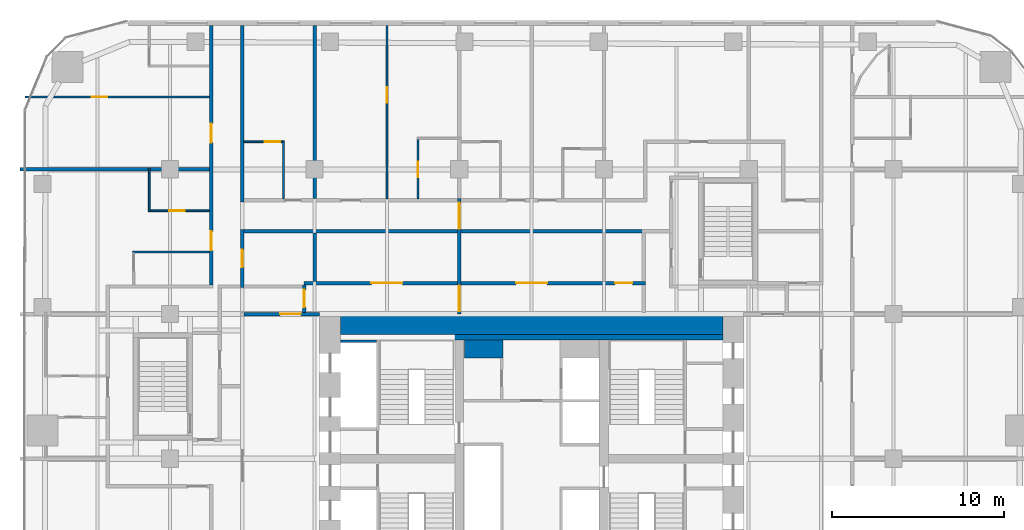
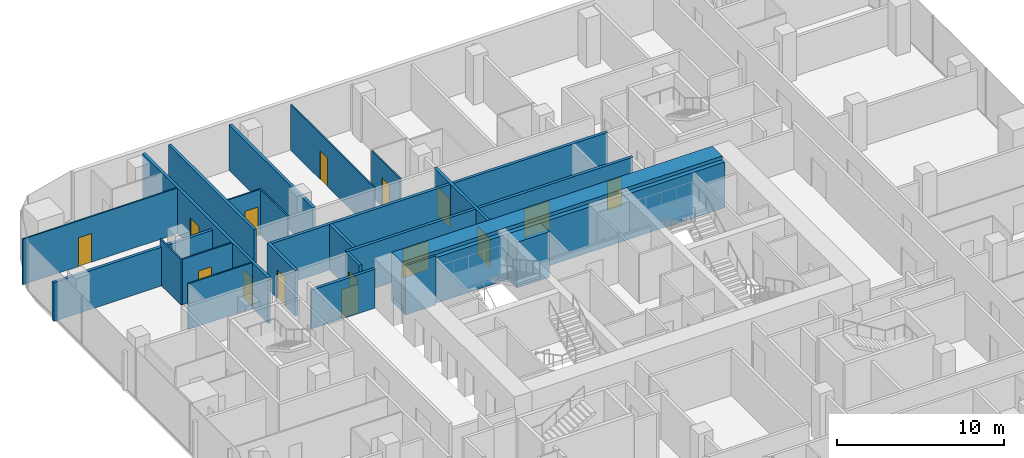
# One storey, part 22 of 27: 23 walls, 15 doors, 15 openings.
"""IFC4 building model written with IfcOpenShell, lengths in metres."""

from ifc_helpers import new_model, si_unit, direction, frame, frame_2d, origin, place, context, subcontext, project, spatial, rectangle, extrude, material, layer, layer_set, type_object, element, fill, save


model = new_model("IFC4")

# Units and contexts
model_context = context("Model", 3, precision=1e-05, world=origin(), true_north=direction((0.0, 1.0)))
body_context = subcontext(model_context, "Body", "Model", "MODEL_VIEW")
ifc_project = project(units=[si_unit("LENGTHUNIT", "METRE"), si_unit("AREAUNIT", "SQUARE_METRE"), si_unit("VOLUMEUNIT", "CUBIC_METRE"), si_unit("PLANEANGLEUNIT", "RADIAN"), si_unit("MASSUNIT", "GRAM", prefix="KILO")], contexts=[model_context])

# Site, building, storey
site_placement = place(None, origin())
site = spatial("IfcSite", under=ifc_project, at=site_placement, CompositionType="ELEMENT")
building_placement = place(site_placement, origin())
building = spatial("IfcBuilding", under=site, at=building_placement, Name="Marenta Gate Hotel Tower", CompositionType="ELEMENT")
storey_placement = place(building_placement, frame((0.0, 0.0, 36.5)))
storey = spatial("IfcBuildingStorey", under=building, at=storey_placement, Name="L06", CompositionType="ELEMENT", Elevation=36.5)

# Wall, openings, doors
ifc_material_1 = material(Name="Concrete blockwork", Category="masonry")
ifc_layer_1 = layer(ifc_material_1, 0.199951171875)
ifc_layer_set_1 = layer_set([ifc_layer_1], Name="Concrete blockwork")
wall_type_1 = type_object("IfcWallType", Name="Compartment wall 200 REI 180", PredefinedType="PARTITIONING", material=ifc_layer_set_1)
wall_1_placement = place(storey_placement, frame((-4.199951171875, 16.800048828125, 0.0), z_axis=(0.0, 0.0, 1.0), x_axis=(0.0, 1.0, 0.0)))
wall_1 = element("IfcWall", 1, at=wall_1_placement, inside=storey, type_object=wall_type_1, Name="L06-PTN-W087", PredefinedType="PARTITIONING", context=body_context, shape_type="SweptSolid", body=[
    extrude(rectangle(XDim=6.699951171875, YDim=0.199951171875, at=frame_2d((3.35009765625, 0.0))), origin(), (0.0, 0.0, 1.0), 3.340087890625),
])
opening_1_placement = place(wall_1_placement, frame((0.14990234375, 0.0, 0.0)))
opening_1 = element("IfcOpeningElement", 2, at=opening_1_placement, cuts=wall_1, Name="Opening G01-FD1", PredefinedType="OPENING", context=body_context, shape_type="SweptSolid", body=[
    extrude(rectangle(XDim=1.5, YDim=2.10009765625, at=frame_2d((0.75, 1.050048828125))), frame((0.0, 0.10009765625, 0.0), z_axis=(0.0, -1.0, 0.0), x_axis=(1.0, 0.0, 0.0)), (0.0, 0.0, 1.0), 0.199951171875),
])
opening_2_placement = place(wall_1_placement, frame((4.949951171875, 0.0, 0.0)))
opening_2 = element("IfcOpeningElement", 3, at=opening_2_placement, cuts=wall_1, Name="Opening G01-FD2", PredefinedType="OPENING", context=body_context, shape_type="SweptSolid", body=[
    extrude(rectangle(XDim=1.5, YDim=2.10009765625, at=frame_2d((0.75, 1.050048828125))), frame((0.0, 0.10009765625, 0.0), z_axis=(0.0, -1.0, 0.0), x_axis=(1.0, 0.0, 0.0)), (0.0, 0.0, 1.0), 0.199951171875),
])
ifc_material_2 = material(Name="Hollow steel door set", Category="steel")
door_type_1 = type_object("IfcDoorType", Name="Compartment fire door 1500x2100 EI 60", OperationType="DOUBLE_DOOR_DOUBLE_SWING", PredefinedType="DOOR", material=ifc_material_2)
door_1_placement = place(opening_1_placement, origin())
door_1 = element("IfcDoor", 4, at=door_1_placement, inside=storey, type_object=door_type_1, Name="L06-PD-FD01", OperationType="DOUBLE_DOOR_DOUBLE_SWING", OverallHeight=2.10009765625, OverallWidth=1.5, PredefinedType="DOOR", context=body_context, shape_type="SweptSolid", body=[
    extrude(rectangle(XDim=1.5, YDim=2.10009765625, at=frame_2d((0.75, 1.050048828125))), frame((0.0, 0.02490234375, 0.0), z_axis=(0.0, -1.0, 0.0), x_axis=(1.0, 0.0, 0.0)), (0.0, 0.0, 1.0), 0.050048828125),
])
fill(opening_1, door_1)
door_2_placement = place(opening_2_placement, origin())
door_2 = element("IfcDoor", 5, at=door_2_placement, inside=storey, type_object=door_type_1, Name="L06-PD-FD02", OperationType="DOUBLE_DOOR_DOUBLE_SWING", OverallHeight=2.10009765625, OverallWidth=1.5, PredefinedType="DOOR", context=body_context, shape_type="SweptSolid", body=[
    extrude(rectangle(XDim=1.5, YDim=2.10009765625, at=frame_2d((0.75, 1.050048828125))), frame((0.0, 0.02490234375, 0.0), z_axis=(0.0, -1.0, 0.0), x_axis=(1.0, 0.0, 0.0)), (0.0, 0.0, 1.0), 0.050048828125),
])
fill(opening_2, door_2)

# Wall, opening, door
ifc_material_3 = material(Name="Concrete blockwork", Category="masonry")
ifc_layer_2 = layer(ifc_material_3, 0.199951171875)
ifc_layer_set_2 = layer_set([ifc_layer_2], Name="Concrete blockwork")
wall_type_2 = type_object("IfcWallType", Name="Core boundary wall 200 REI 180", PredefinedType="PARTITIONING", material=ifc_layer_set_2)
wall_2_placement = place(storey_placement, frame((-16.699951171875, 16.800048828125, 0.0), z_axis=(0.0, 0.0, 1.0), x_axis=(1.0, 0.0, 0.0)))
wall_2 = element("IfcWall", 6, at=wall_2_placement, inside=storey, type_object=wall_type_2, Name="L06-CP-EW-WN", PredefinedType="PARTITIONING", context=body_context, shape_type="SweptSolid", body=[
    extrude(rectangle(XDim=4.39990234375, YDim=0.199951171875, at=frame_2d((2.199951171875, 0.0))), origin(), (0.0, 0.0, 1.0), 2.840087890625),
])
opening_3_placement = place(wall_2_placement, frame((2.10009765625, 0.0, 0.0)))
opening_3 = element("IfcOpeningElement", 7, at=opening_3_placement, cuts=wall_2, Name="Opening RS-Z1-3", PredefinedType="OPENING", context=body_context, shape_type="SweptSolid", body=[
    extrude(rectangle(XDim=1.199951171875, YDim=2.10009765625, at=frame_2d((0.60009765625, 1.050048828125))), frame((0.0, 0.10009765625, 0.0), z_axis=(0.0, -1.0, 0.0), x_axis=(1.0, 0.0, 0.0)), (0.0, 0.0, 1.0), 0.199951171875),
])
ifc_material_4 = material(Name="Steel", Category="steel")
door_type_2 = type_object("IfcDoorType", Name="Core lobby door 1200x2100 EI 60", OperationType="SINGLE_SWING_LEFT", PredefinedType="DOOR", material=ifc_material_4)
door_3_placement = place(opening_3_placement, origin())
door_3 = element("IfcDoor", 8, at=door_3_placement, inside=storey, type_object=door_type_2, Name="RS-Z1-3", OperationType="SINGLE_SWING_LEFT", OverallHeight=2.10009765625, OverallWidth=1.199951171875, PredefinedType="DOOR", context=body_context, shape_type="SweptSolid", body=[
    extrude(rectangle(XDim=1.199951171875, YDim=2.10009765625, at=frame_2d((0.60009765625, 1.050048828125))), frame((0.0, 0.02490234375, 0.0), z_axis=(0.0, -1.0, 0.0), x_axis=(1.0, 0.0, 0.0)), (0.0, 0.0, 1.0), 0.050048828125),
])
fill(opening_3, door_3)

# Walls
ifc_material_5 = material(Name="Concrete C40", Category="concrete")
ifc_layer_3 = layer(ifc_material_5, 0.300048828125)
ifc_layer_set_3 = layer_set([ifc_layer_3], Name="Concrete C40")
wall_type_3 = type_object("IfcWallType", Name="Core lining wall 300 REI 180", PredefinedType="PARTITIONING", material=ifc_layer_set_3)
wall_3_placement = place(storey_placement, frame((-11.10009765625, 15.449951171875, 0.0), z_axis=(0.0, 0.0, 1.0), x_axis=(1.0, 0.0, 0.0)))
element("IfcWall", 9, at=wall_3_placement, inside=storey, type_object=wall_type_3, Name="L06-CP-LN-N", PredefinedType="PARTITIONING", context=body_context, shape_type="SweptSolid", body=[
    extrude(rectangle(XDim=22.2001953125, YDim=0.300048828125, at=frame_2d((11.10009765625, 0.0))), origin(), (0.0, 0.0, 1.0), 3.340087890625),
])
ifc_material_6 = material(Name="Concrete blockwork", Category="masonry")
ifc_layer_4 = layer(ifc_material_6, 1.050048828125)
ifc_layer_set_4 = layer_set([ifc_layer_4], Name="Concrete blockwork")
wall_type_4 = type_object("IfcWallType", Name="Core room partition 1050 REI 180", PredefinedType="PARTITIONING", material=ifc_layer_set_4)
wall_4_placement = place(storey_placement, frame((-3.89990234375, 14.77490234375, 0.0), z_axis=(0.0, 0.0, 1.0), x_axis=(1.0, 0.0, 0.0)))
element("IfcWall", 10, at=wall_4_placement, inside=storey, type_object=wall_type_4, Name="L06-CP-CW-W-riser-N", PredefinedType="PARTITIONING", context=body_context, shape_type="SweptSolid", body=[
    extrude(rectangle(XDim=2.25, YDim=1.050048828125, at=frame_2d((1.125, 0.0))), origin(), (0.0, 0.0, 1.0), 3.340087890625),
])
ifc_material_7 = material(Name="Concrete C40", Category="concrete")
ifc_layer_5 = layer(ifc_material_7, 0.14990234375)
ifc_layer_set_5 = layer_set([ifc_layer_5], Name="Concrete C40")
wall_type_5 = type_object("IfcWallType", Name="Core shaft wall 150 REI 180", PredefinedType="SHEAR", material=ifc_layer_set_5)
wall_5_placement = place(storey_placement, frame((-11.10009765625, 15.22509765625, 0.0), z_axis=(0.0, 0.0, 1.0), x_axis=(1.0, 0.0, 0.0)))
element("IfcWall", 11, at=wall_5_placement, inside=storey, type_object=wall_type_5, Name="L06-SHF-SW-WN-5", PredefinedType="SHEAR", context=body_context, shape_type="SweptSolid", body=[
    extrude(rectangle(XDim=2.10009765625, YDim=0.14990234375, at=frame_2d((1.050048828125, 0.0))), origin(), (0.0, 0.0, 1.0), 3.60009765625),
])
ifc_material_8 = material(Name="Concrete C80", Category="concrete")
ifc_layer_6 = layer(ifc_material_8, 1.199951171875)
ifc_layer_set_6 = layer_set([ifc_layer_6], Name="Concrete C80")
wall_type_6 = type_object("IfcWallType", Name="Core wall 1200 C80", PredefinedType="SHEAR", material=ifc_layer_set_6)
wall_6_placement = place(storey_placement, frame((-11.10009765625, 16.199951171875, 0.0), z_axis=(0.0, 0.0, 1.0), x_axis=(1.0, 0.0, 0.0)))
element("IfcWall", 12, at=wall_6_placement, inside=storey, type_object=wall_type_6, Name="L06-CORE-N", PredefinedType="SHEAR", context=body_context, shape_type="SweptSolid", body=[
    extrude(rectangle(XDim=22.2001953125, YDim=1.199951171875, at=frame_2d((11.10009765625, 0.0))), origin(), (0.0, 0.0, 1.0), 3.60009765625),
])

# Wall, opening, door
ifc_material_9 = material(Name="Gypsum board on steel stud", Category="steel")
ifc_layer_7 = layer(ifc_material_9, 0.199951171875)
ifc_layer_set_7 = layer_set([ifc_layer_7], Name="Gypsum board on steel stud")
wall_type_7 = type_object("IfcWallType", Name="Room corridor wall 200 EI 60", PredefinedType="PARTITIONING", material=ifc_layer_set_7)
wall_7_placement = place(storey_placement, frame((-16.800048828125, 18.35009765625, 0.0), z_axis=(0.0, 0.0, 1.0), x_axis=(0.0, 1.0, 0.0)))
wall_7 = element("IfcWall", 13, at=wall_7_placement, inside=storey, type_object=wall_type_7, Name="L06-PTN-W118", PredefinedType="PARTITIONING", context=body_context, shape_type="SweptSolid", body=[
    extrude(rectangle(XDim=3.349853515625, YDim=0.199951171875, at=frame_2d((1.6748046875, 0.0))), origin(), (0.0, 0.0, 1.0), 3.340087890625),
])
opening_4_placement = place(wall_7_placement, frame((1.175048828125, 0.0, 0.0)))
opening_4 = element("IfcOpeningElement", 14, at=opening_4_placement, cuts=wall_7, Name="Opening G01-70", PredefinedType="OPENING", context=body_context, shape_type="SweptSolid", body=[
    extrude(rectangle(XDim=1.0, YDim=2.10009765625, at=frame_2d((0.5, 1.050048828125))), frame((0.0, 0.10009765625, 0.0), z_axis=(0.0, -1.0, 0.0), x_axis=(1.0, 0.0, 0.0)), (0.0, 0.0, 1.0), 0.199951171875),
])
ifc_material_10 = material(Name="Timber door leaf", Category="wood")
door_type_3 = type_object("IfcDoorType", Name="Room amenity door 1000x2100 EI 30", OperationType="NOTDEFINED", PredefinedType="DOOR", material=ifc_material_10)
door_4_placement = place(opening_4_placement, origin())
door_4 = element("IfcDoor", 15, at=door_4_placement, inside=storey, type_object=door_type_3, Name="L06-PD-D070", OperationType="SINGLE_SWING_LEFT", OverallHeight=2.10009765625, OverallWidth=1.0, PredefinedType="DOOR", context=body_context, shape_type="SweptSolid", body=[
    extrude(rectangle(XDim=1.0, YDim=2.10009765625, at=frame_2d((0.5, 1.050048828125))), frame((0.0, 0.02490234375, 0.0), z_axis=(0.0, -1.0, 0.0), x_axis=(1.0, 0.0, 0.0)), (0.0, 0.0, 1.0), 0.050048828125),
])
fill(opening_4, door_4)

# Wall
wall_8_placement = place(storey_placement, frame((-16.800048828125, 23.300048828125, 0.0), z_axis=(0.0, 0.0, 1.0), x_axis=(0.0, 1.0, 0.0)))
element("IfcWall", 16, at=wall_8_placement, inside=storey, type_object=wall_type_7, Name="L06-PTN-W119", PredefinedType="PARTITIONING", context=body_context, shape_type="SweptSolid", body=[
    extrude(rectangle(XDim=10.239990234375, YDim=0.199951171875, at=frame_2d((5.1201171875, 0.0))), origin(), (0.0, 0.0, 1.0), 3.340087890625),
])

# Wall, openings, doors
wall_9_placement = place(storey_placement, frame((-18.60009765625, 18.5, 0.0), z_axis=(0.0, 0.0, 1.0), x_axis=(0.0, 1.0, 0.0)))
wall_9 = element("IfcWall", 17, at=wall_9_placement, inside=storey, type_object=wall_type_7, Name="L06-PTN-W130", PredefinedType="PARTITIONING", context=body_context, shape_type="SweptSolid", body=[
    extrude(rectangle(XDim=15.0400390625, YDim=0.199951171875, at=frame_2d((7.52001953125, 0.0))), origin(), (0.0, 0.0, 1.0), 3.340087890625),
])
opening_5_placement = place(wall_9_placement, frame((2.0, 0.0, 0.0)))
opening_5 = element("IfcOpeningElement", 18, at=opening_5_placement, cuts=wall_9, Name="Opening G01-54", PredefinedType="OPENING", context=body_context, shape_type="SweptSolid", body=[
    extrude(rectangle(XDim=1.10009765625, YDim=2.10009765625, at=frame_2d((0.550048828125, 1.050048828125))), frame((0.0, 0.10009765625, 0.0), z_axis=(0.0, -1.0, 0.0), x_axis=(1.0, 0.0, 0.0)), (0.0, 0.0, 1.0), 0.199951171875),
])
opening_6_placement = place(wall_9_placement, frame((8.25, 0.0, 0.0)))
opening_6 = element("IfcOpeningElement", 19, at=opening_6_placement, cuts=wall_9, Name="Opening G01-57", PredefinedType="OPENING", context=body_context, shape_type="SweptSolid", body=[
    extrude(rectangle(XDim=1.10009765625, YDim=2.10009765625, at=frame_2d((0.550048828125, 1.050048828125))), frame((0.0, 0.10009765625, 0.0), z_axis=(0.0, -1.0, 0.0), x_axis=(1.0, 0.0, 0.0)), (0.0, 0.0, 1.0), 0.199951171875),
])
ifc_material_11 = material(Name="Timber door leaf", Category="wood")
door_type_4 = type_object("IfcDoorType", Name="Guest room door 1100x2100 EI 30", OperationType="NOTDEFINED", PredefinedType="DOOR", material=ifc_material_11)
door_5_placement = place(opening_5_placement, origin())
door_5 = element("IfcDoor", 20, at=door_5_placement, inside=storey, type_object=door_type_4, Name="L06-PD-D054", OperationType="SINGLE_SWING_LEFT", OverallHeight=2.10009765625, OverallWidth=1.10009765625, PredefinedType="DOOR", context=body_context, shape_type="SweptSolid", body=[
    extrude(rectangle(XDim=1.10009765625, YDim=2.10009765625, at=frame_2d((0.550048828125, 1.050048828125))), frame((0.0, 0.02490234375, 0.0), z_axis=(0.0, -1.0, 0.0), x_axis=(1.0, 0.0, 0.0)), (0.0, 0.0, 1.0), 0.050048828125),
])
fill(opening_5, door_5)
door_6_placement = place(opening_6_placement, origin())
door_6 = element("IfcDoor", 21, at=door_6_placement, inside=storey, type_object=door_type_4, Name="L06-PD-D057", OperationType="SINGLE_SWING_RIGHT", OverallHeight=2.10009765625, OverallWidth=1.10009765625, PredefinedType="DOOR", context=body_context, shape_type="SweptSolid", body=[
    extrude(rectangle(XDim=1.10009765625, YDim=2.10009765625, at=frame_2d((0.550048828125, 1.050048828125))), frame((0.0, 0.02490234375, 0.0), z_axis=(0.0, -1.0, 0.0), x_axis=(1.0, 0.0, 0.0)), (0.0, 0.0, 1.0), 0.050048828125),
])
fill(opening_6, door_6)

wall_10_placement = place(storey_placement, frame((-13.199951171875, 18.60009765625, 0.0), z_axis=(0.0, 0.0, 1.0), x_axis=(1.0, 0.0, 0.0)))
wall_10 = element("IfcWall", 22, at=wall_10_placement, inside=storey, type_object=wall_type_7, Name="L06-PTN-W131", PredefinedType="PARTITIONING", context=body_context, shape_type="SweptSolid", body=[
    extrude(rectangle(XDim=19.800048828125, YDim=0.199951171875, at=frame_2d((9.89990234375, 0.0))), origin(), (0.0, 0.0, 1.0), 3.340087890625),
])
opening_7_placement = place(wall_10_placement, frame((3.89990234375, 0.0, 0.0)))
opening_7 = element("IfcOpeningElement", 23, at=opening_7_placement, cuts=wall_10, Name="Opening G01-01", PredefinedType="OPENING", context=body_context, shape_type="SweptSolid", body=[
    extrude(rectangle(XDim=1.800048828125, YDim=2.10009765625, at=frame_2d((0.89990234375, 1.050048828125))), frame((0.0, 0.10009765625, 0.0), z_axis=(0.0, -1.0, 0.0), x_axis=(1.0, 0.0, 0.0)), (0.0, 0.0, 1.0), 0.199951171875),
])
opening_8_placement = place(wall_10_placement, frame((12.300048828125, 0.0, 0.0)))
opening_8 = element("IfcOpeningElement", 24, at=opening_8_placement, cuts=wall_10, Name="Opening G01-02", PredefinedType="OPENING", context=body_context, shape_type="SweptSolid", body=[
    extrude(rectangle(XDim=1.800048828125, YDim=2.10009765625, at=frame_2d((0.89990234375, 1.050048828125))), frame((0.0, 0.10009765625, 0.0), z_axis=(0.0, -1.0, 0.0), x_axis=(1.0, 0.0, 0.0)), (0.0, 0.0, 1.0), 0.199951171875),
])
opening_9_placement = place(wall_10_placement, frame((18.050048828125, 0.0, 0.0)))
opening_9 = element("IfcOpeningElement", 25, at=opening_9_placement, cuts=wall_10, Name="Opening G01-03", PredefinedType="OPENING", context=body_context, shape_type="SweptSolid", body=[
    extrude(rectangle(XDim=1.0, YDim=2.10009765625, at=frame_2d((0.5, 1.050048828125))), frame((0.0, 0.10009765625, 0.0), z_axis=(0.0, -1.0, 0.0), x_axis=(1.0, 0.0, 0.0)), (0.0, 0.0, 1.0), 0.199951171875),
])
door_7_placement = place(opening_9_placement, origin())
door_7 = element("IfcDoor", 26, at=door_7_placement, inside=storey, type_object=door_type_3, Name="L06-PD-D003", OperationType="SINGLE_SWING_LEFT", OverallHeight=2.10009765625, OverallWidth=1.0, PredefinedType="DOOR", context=body_context, shape_type="SweptSolid", body=[
    extrude(rectangle(XDim=1.0, YDim=2.10009765625, at=frame_2d((0.5, 1.050048828125))), frame((0.0, 0.02490234375, 0.0), z_axis=(0.0, -1.0, 0.0), x_axis=(1.0, 0.0, 0.0)), (0.0, 0.0, 1.0), 0.050048828125),
])
fill(opening_9, door_7)
ifc_material_12 = material(Name="Timber door leaf", Category="wood")
door_type_5 = type_object("IfcDoorType", Name="Room amenity door 1800x2100 EI 30", OperationType="DOUBLE_DOOR_SINGLE_SWING", PredefinedType="DOOR", material=ifc_material_12)
door_8_placement = place(opening_7_placement, origin())
door_8 = element("IfcDoor", 27, at=door_8_placement, inside=storey, type_object=door_type_5, Name="L06-PD-D001", OperationType="DOUBLE_DOOR_SINGLE_SWING", OverallHeight=2.10009765625, OverallWidth=1.800048828125, PredefinedType="DOOR", context=body_context, shape_type="SweptSolid", body=[
    extrude(rectangle(XDim=1.800048828125, YDim=2.10009765625, at=frame_2d((0.89990234375, 1.050048828125))), frame((0.0, 0.02490234375, 0.0), z_axis=(0.0, -1.0, 0.0), x_axis=(1.0, 0.0, 0.0)), (0.0, 0.0, 1.0), 0.050048828125),
])
fill(opening_7, door_8)
door_9_placement = place(opening_8_placement, origin())
door_9 = element("IfcDoor", 28, at=door_9_placement, inside=storey, type_object=door_type_5, Name="L06-PD-D002", OperationType="DOUBLE_DOOR_SINGLE_SWING", OverallHeight=2.10009765625, OverallWidth=1.800048828125, PredefinedType="DOOR", context=body_context, shape_type="SweptSolid", body=[
    extrude(rectangle(XDim=1.800048828125, YDim=2.10009765625, at=frame_2d((0.89990234375, 1.050048828125))), frame((0.0, 0.02490234375, 0.0), z_axis=(0.0, -1.0, 0.0), x_axis=(1.0, 0.0, 0.0)), (0.0, 0.0, 1.0), 0.050048828125),
])
fill(opening_8, door_9)

# Wall
wall_11_placement = place(storey_placement, frame((-16.699951171875, 21.60009765625, 0.0), z_axis=(0.0, 0.0, 1.0), x_axis=(1.0, 0.0, 0.0)))
element("IfcWall", 29, at=wall_11_placement, inside=storey, type_object=wall_type_7, Name="L06-PTN-W136", PredefinedType="PARTITIONING", context=body_context, shape_type="SweptSolid", body=[
    extrude(rectangle(XDim=23.300048828125, YDim=0.199951171875, at=frame_2d((11.64990234375, 0.0))), origin(), (0.0, 0.0, 1.0), 3.340087890625),
])

# Wall, opening, door
ifc_material_13 = material(Name="Concrete blockwork", Category="masonry")
ifc_layer_8 = layer(ifc_material_13, 0.199951171875)
ifc_layer_set_8 = layer_set([ifc_layer_8], Name="Concrete blockwork")
wall_type_8 = type_object("IfcWallType", Name="Room corridor wall 200 REI 180", PredefinedType="PARTITIONING", material=ifc_layer_set_8)
wall_12_placement = place(storey_placement, frame((-13.199951171875, 16.89990234375, 0.0), z_axis=(0.0, 0.0, 1.0), x_axis=(0.0, 1.0, 0.0)))
wall_12 = element("IfcWall", 30, at=wall_12_placement, inside=storey, type_object=wall_type_8, Name="L06-PTN-W109", PredefinedType="PARTITIONING", context=body_context, shape_type="SweptSolid", body=[
    extrude(rectangle(XDim=1.60009765625, YDim=0.199951171875, at=frame_2d((0.800048828125, 0.0))), origin(), (0.0, 0.0, 1.0), 3.340087890625),
])
opening_10_placement = place(wall_12_placement, frame((0.300048828125, 0.0, 0.0)))
opening_10 = element("IfcOpeningElement", 31, at=opening_10_placement, cuts=wall_12, Name="Opening G01-72", PredefinedType="OPENING", context=body_context, shape_type="SweptSolid", body=[
    extrude(rectangle(XDim=1.0, YDim=2.10009765625, at=frame_2d((0.5, 1.050048828125))), frame((0.0, 0.10009765625, 0.0), z_axis=(0.0, -1.0, 0.0), x_axis=(1.0, 0.0, 0.0)), (0.0, 0.0, 1.0), 0.199951171875),
])
ifc_material_14 = material(Name="Hollow steel door set", Category="steel")
door_type_6 = type_object("IfcDoorType", Name="Room service door 1000x2100 EI 60", OperationType="NOTDEFINED", PredefinedType="DOOR", material=ifc_material_14)
door_10_placement = place(opening_10_placement, origin())
door_10 = element("IfcDoor", 32, at=door_10_placement, inside=storey, type_object=door_type_6, Name="L06-PD-D072", OperationType="SINGLE_SWING_RIGHT", OverallHeight=2.10009765625, OverallWidth=1.0, PredefinedType="DOOR", context=body_context, shape_type="SweptSolid", body=[
    extrude(rectangle(XDim=1.0, YDim=2.10009765625, at=frame_2d((0.5, 1.050048828125))), frame((0.0, 0.02490234375, 0.0), z_axis=(0.0, -1.0, 0.0), x_axis=(1.0, 0.0, 0.0)), (0.0, 0.0, 1.0), 0.050048828125),
])
fill(opening_10, door_10)

ifc_material_15 = material(Name="Gypsum board on steel stud", Category="steel")
ifc_layer_9 = layer(ifc_material_15, 0.10009765625)
ifc_layer_set_9 = layer_set([ifc_layer_9], Name="Gypsum board on steel stud")
wall_type_9 = type_object("IfcWallType", Name="Room partition 100", PredefinedType="PARTITIONING", material=ifc_layer_set_9)
wall_13_placement = place(storey_placement, frame((-6.60009765625, 23.5, 0.0), z_axis=(0.0, 0.0, 1.0), x_axis=(0.0, 1.0, 0.0)))
wall_13 = element("IfcWall", 33, at=wall_13_placement, inside=storey, type_object=wall_type_9, Name="L06-PTN-W093", PredefinedType="PARTITIONING", context=body_context, shape_type="SweptSolid", body=[
    extrude(rectangle(XDim=3.449951171875, YDim=0.10009765625, at=frame_2d((1.72509765625, 0.0))), origin(), (0.0, 0.0, 1.0), 3.340087890625),
])
opening_11_placement = place(wall_13_placement, frame((1.25, 0.0, 0.0)))
opening_11 = element("IfcOpeningElement", 34, at=opening_11_placement, cuts=wall_13, Name="Opening G01-29", PredefinedType="OPENING", context=body_context, shape_type="SweptSolid", body=[
    extrude(rectangle(XDim=0.89990234375, YDim=2.10009765625, at=frame_2d((0.449951171875, 1.050048828125))), frame((0.0, 0.050048828125, 0.0), z_axis=(0.0, -1.0, 0.0), x_axis=(1.0, 0.0, 0.0)), (0.0, 0.0, 1.0), 0.10009765625),
])
ifc_material_16 = material(Name="Timber door leaf", Category="wood")
door_type_7 = type_object("IfcDoorType", Name="Guest bathroom door 900x2100", OperationType="NOTDEFINED", PredefinedType="DOOR", material=ifc_material_16)
door_11_placement = place(opening_11_placement, origin())
door_11 = element("IfcDoor", 35, at=door_11_placement, inside=storey, type_object=door_type_7, Name="L06-PD-D029", OperationType="SINGLE_SWING_RIGHT", OverallHeight=2.10009765625, OverallWidth=0.89990234375, PredefinedType="DOOR", context=body_context, shape_type="SweptSolid", body=[
    extrude(rectangle(XDim=0.89990234375, YDim=2.10009765625, at=frame_2d((0.449951171875, 1.050048828125))), frame((0.0, 0.02490234375, 0.0), z_axis=(0.0, -1.0, 0.0), x_axis=(1.0, 0.0, 0.0)), (0.0, 0.0, 1.0), 0.050048828125),
])
fill(opening_11, door_11)

wall_14_placement = place(storey_placement, frame((-8.39990234375, 23.5, 0.0), z_axis=(0.0, 0.0, 1.0), x_axis=(0.0, 1.0, 0.0)))
wall_14 = element("IfcWall", 36, at=wall_14_placement, inside=storey, type_object=wall_type_9, Name="L06-PTN-W096", PredefinedType="PARTITIONING", context=body_context, shape_type="SweptSolid", body=[
    extrude(rectangle(XDim=10.0400390625, YDim=0.10009765625, at=frame_2d((5.02001953125, 0.0))), origin(), (0.0, 0.0, 1.0), 3.340087890625),
])
opening_12_placement = place(wall_14_placement, frame((5.570068359375, 0.0, 0.0)))
opening_12 = element("IfcOpeningElement", 37, at=opening_12_placement, cuts=wall_14, Name="Opening G01-28", PredefinedType="OPENING", context=body_context, shape_type="SweptSolid", body=[
    extrude(rectangle(XDim=0.89990234375, YDim=2.10009765625, at=frame_2d((0.449951171875, 1.050048828125))), frame((0.0, 0.050048828125, 0.0), z_axis=(0.0, -1.0, 0.0), x_axis=(1.0, 0.0, 0.0)), (0.0, 0.0, 1.0), 0.10009765625),
])
ifc_material_17 = material(Name="Timber door leaf", Category="wood")
door_type_8 = type_object("IfcDoorType", Name="Room inner door 900x2100", OperationType="NOTDEFINED", PredefinedType="DOOR", material=ifc_material_17)
door_12_placement = place(opening_12_placement, origin())
door_12 = element("IfcDoor", 38, at=door_12_placement, inside=storey, type_object=door_type_8, Name="L06-PD-D028", OperationType="SINGLE_SWING_RIGHT", OverallHeight=2.10009765625, OverallWidth=0.89990234375, PredefinedType="DOOR", context=body_context, shape_type="SweptSolid", body=[
    extrude(rectangle(XDim=0.89990234375, YDim=2.10009765625, at=frame_2d((0.449951171875, 1.050048828125))), frame((0.0, 0.02490234375, 0.0), z_axis=(0.0, -1.0, 0.0), x_axis=(1.0, 0.0, 0.0)), (0.0, 0.0, 1.0), 0.050048828125),
])
fill(opening_12, door_12)

# Walls
wall_15_placement = place(storey_placement, frame((-14.39990234375, 23.5, 0.0), z_axis=(0.0, 0.0, 1.0), x_axis=(0.0, 1.0, 0.0)))
element("IfcWall", 39, at=wall_15_placement, inside=storey, type_object=wall_type_9, Name="L06-PTN-W111", PredefinedType="PARTITIONING", context=body_context, shape_type="SweptSolid", body=[
    extrude(rectangle(XDim=3.35009765625, YDim=0.10009765625, at=frame_2d((1.675048828125, 0.0))), origin(), (0.0, 0.0, 1.0), 3.340087890625),
])
wall_16_placement = place(storey_placement, frame((-23.14990234375, 20.39990234375, 0.0), z_axis=(0.0, 0.0, 1.0), x_axis=(1.0, 0.0, 0.0)))
element("IfcWall", 40, at=wall_16_placement, inside=storey, type_object=wall_type_9, Name="L06-PTN-W134", PredefinedType="PARTITIONING", context=body_context, shape_type="SweptSolid", body=[
    extrude(rectangle(XDim=4.449951171875, YDim=0.10009765625, at=frame_2d((2.22509765625, 0.0))), origin(), (0.0, 0.0, 1.0), 3.340087890625),
])
wall_17_placement = place(storey_placement, frame((-22.199951171875, 22.75, 0.0), z_axis=(0.0, 0.0, 1.0), x_axis=(0.0, 1.0, 0.0)))
element("IfcWall", 41, at=wall_17_placement, inside=storey, type_object=wall_type_9, Name="L06-PTN-W141", PredefinedType="PARTITIONING", context=body_context, shape_type="SweptSolid", body=[
    extrude(rectangle(XDim=2.550048828125, YDim=0.10009765625, at=frame_2d((1.27490234375, 0.0))), origin(), (0.0, 0.0, 1.0), 3.340087890625),
])

# Wall, opening, door
wall_18_placement = place(storey_placement, frame((-22.14990234375, 22.800048828125, 0.0), z_axis=(0.0, 0.0, 1.0), x_axis=(1.0, 0.0, 0.0)))
wall_18 = element("IfcWall", 42, at=wall_18_placement, inside=storey, type_object=wall_type_9, Name="L06-PTN-W143", PredefinedType="PARTITIONING", context=body_context, shape_type="SweptSolid", body=[
    extrude(rectangle(XDim=3.449951171875, YDim=0.10009765625, at=frame_2d((1.72509765625, 0.0))), origin(), (0.0, 0.0, 1.0), 3.340087890625),
])
opening_13_placement = place(wall_18_placement, frame((1.1201171875, 0.0, 0.0)))
opening_13 = element("IfcOpeningElement", 43, at=opening_13_placement, cuts=wall_18, Name="Opening G01-56", PredefinedType="OPENING", context=body_context, shape_type="SweptSolid", body=[
    extrude(rectangle(XDim=0.89990234375, YDim=2.10009765625, at=frame_2d((0.449951171875, 1.050048828125))), frame((0.0, 0.050048828125, 0.0), z_axis=(0.0, -1.0, 0.0), x_axis=(1.0, 0.0, 0.0)), (0.0, 0.0, 1.0), 0.10009765625),
])
door_13_placement = place(opening_13_placement, origin())
door_13 = element("IfcDoor", 44, at=door_13_placement, inside=storey, type_object=door_type_8, Name="L06-PD-D056", OperationType="SINGLE_SWING_LEFT", OverallHeight=2.10009765625, OverallWidth=0.89990234375, PredefinedType="DOOR", context=body_context, shape_type="SweptSolid", body=[
    extrude(rectangle(XDim=0.89990234375, YDim=2.10009765625, at=frame_2d((0.449951171875, 1.050048828125))), frame((0.0, 0.02490234375, 0.0), z_axis=(0.0, -1.0, 0.0), x_axis=(1.0, 0.0, 0.0)), (0.0, 0.0, 1.0), 0.050048828125),
])
fill(opening_13, door_13)

wall_19_placement = place(storey_placement, frame((-16.699951171875, 26.800048828125, 0.0), z_axis=(0.0, 0.0, 1.0), x_axis=(1.0, 0.0, 0.0)))
wall_19 = element("IfcWall", 45, at=wall_19_placement, inside=storey, type_object=wall_type_9, Name="L06-PTN-W152", PredefinedType="PARTITIONING", context=body_context, shape_type="SweptSolid", body=[
    extrude(rectangle(XDim=2.25, YDim=0.10009765625, at=frame_2d((1.125, 0.0))), origin(), (0.0, 0.0, 1.0), 3.340087890625),
])
opening_14_placement = place(wall_19_placement, frame((1.199951171875, 0.0, 0.0)))
opening_14 = element("IfcOpeningElement", 46, at=opening_14_placement, cuts=wall_19, Name="Opening G01-26", PredefinedType="OPENING", context=body_context, shape_type="SweptSolid", body=[
    extrude(rectangle(XDim=0.89990234375, YDim=2.10009765625, at=frame_2d((0.449951171875, 1.050048828125))), frame((0.0, 0.050048828125, 0.0), z_axis=(0.0, -1.0, 0.0), x_axis=(1.0, 0.0, 0.0)), (0.0, 0.0, 1.0), 0.10009765625),
])
door_14_placement = place(opening_14_placement, origin())
door_14 = element("IfcDoor", 47, at=door_14_placement, inside=storey, type_object=door_type_7, Name="L06-PD-D026", OperationType="SINGLE_SWING_LEFT", OverallHeight=2.10009765625, OverallWidth=0.89990234375, PredefinedType="DOOR", context=body_context, shape_type="SweptSolid", body=[
    extrude(rectangle(XDim=0.89990234375, YDim=2.10009765625, at=frame_2d((0.449951171875, 1.050048828125))), frame((0.0, 0.02490234375, 0.0), z_axis=(0.0, -1.0, 0.0), x_axis=(1.0, 0.0, 0.0)), (0.0, 0.0, 1.0), 0.050048828125),
])
fill(opening_14, door_14)

wall_20_placement = place(storey_placement, frame((-29.39306640625, 29.39990234375, 0.0), z_axis=(0.0, 0.0, 1.0), x_axis=(1.0, 0.0, 0.0)))
wall_20 = element("IfcWall", 48, at=wall_20_placement, inside=storey, type_object=wall_type_9, Name="L06-PTN-W159", PredefinedType="PARTITIONING", context=body_context, shape_type="SweptSolid", body=[
    extrude(rectangle(XDim=10.693115234375, YDim=0.10009765625, at=frame_2d((5.3466796875, 0.0))), origin(), (0.0, 0.0, 1.0), 3.340087890625),
])
opening_15_placement = place(wall_20_placement, frame((3.863037109375, 0.0, 0.0)))
opening_15 = element("IfcOpeningElement", 49, at=opening_15_placement, cuts=wall_20, Name="Opening G01-58", PredefinedType="OPENING", context=body_context, shape_type="SweptSolid", body=[
    extrude(rectangle(XDim=0.89990234375, YDim=2.10009765625, at=frame_2d((0.449951171875, 1.050048828125))), frame((0.0, 0.050048828125, 0.0), z_axis=(0.0, -1.0, 0.0), x_axis=(1.0, 0.0, 0.0)), (0.0, 0.0, 1.0), 0.10009765625),
])
door_15_placement = place(opening_15_placement, origin())
door_15 = element("IfcDoor", 50, at=door_15_placement, inside=storey, type_object=door_type_8, Name="L06-PD-D058", OperationType="SINGLE_SWING_LEFT", OverallHeight=2.10009765625, OverallWidth=0.89990234375, PredefinedType="DOOR", context=body_context, shape_type="SweptSolid", body=[
    extrude(rectangle(XDim=0.89990234375, YDim=2.10009765625, at=frame_2d((0.449951171875, 1.050048828125))), frame((0.0, 0.02490234375, 0.0), z_axis=(0.0, -1.0, 0.0), x_axis=(1.0, 0.0, 0.0)), (0.0, 0.0, 1.0), 0.050048828125),
])
fill(opening_15, door_15)

# Walls
ifc_material_18 = material(Name="Gypsum board on steel stud", Category="steel")
ifc_layer_10 = layer(ifc_material_18, 0.199951171875)
ifc_layer_set_10 = layer_set([ifc_layer_10], Name="Gypsum board on steel stud")
wall_type_10 = type_object("IfcWallType", Name="Room party wall 200 EI 60", PredefinedType="PARTITIONING", material=ifc_layer_set_10)
wall_21_placement = place(storey_placement, frame((-12.60009765625, 18.699951171875, 0.0), z_axis=(0.0, 0.0, 1.0), x_axis=(0.0, 1.0, 0.0)))
element("IfcWall", 51, at=wall_21_placement, inside=storey, type_object=wall_type_10, Name="L06-PTN-W105", PredefinedType="PARTITIONING", context=body_context, shape_type="SweptSolid", body=[
    extrude(rectangle(XDim=2.800048828125, YDim=0.199951171875, at=frame_2d((1.39990234375, 0.0))), origin(), (0.0, 0.0, 1.0), 3.340087890625),
])
wall_22_placement = place(storey_placement, frame((-12.60009765625, 23.5, 0.0), z_axis=(0.0, 0.0, 1.0), x_axis=(0.0, 1.0, 0.0)))
element("IfcWall", 52, at=wall_22_placement, inside=storey, type_object=wall_type_10, Name="L06-PTN-W106", PredefinedType="PARTITIONING", context=body_context, shape_type="SweptSolid", body=[
    extrude(rectangle(XDim=10.0400390625, YDim=0.199951171875, at=frame_2d((5.02001953125, 0.0))), origin(), (0.0, 0.0, 1.0), 3.340087890625),
])
wall_23_placement = place(storey_placement, frame((-29.699951171875, 25.199951171875, 0.0), z_axis=(0.0, 0.0, 1.0), x_axis=(1.0, 0.0, 0.0)))
element("IfcWall", 53, at=wall_23_placement, inside=storey, type_object=wall_type_10, Name="L06-PTN-W149", PredefinedType="PARTITIONING", context=body_context, shape_type="SweptSolid", body=[
    extrude(rectangle(XDim=11.0, YDim=0.199951171875, at=frame_2d((5.5, 0.0))), origin(), (0.0, 0.0, 1.0), 2.840087890625),
])

save(model, "model.ifc")
